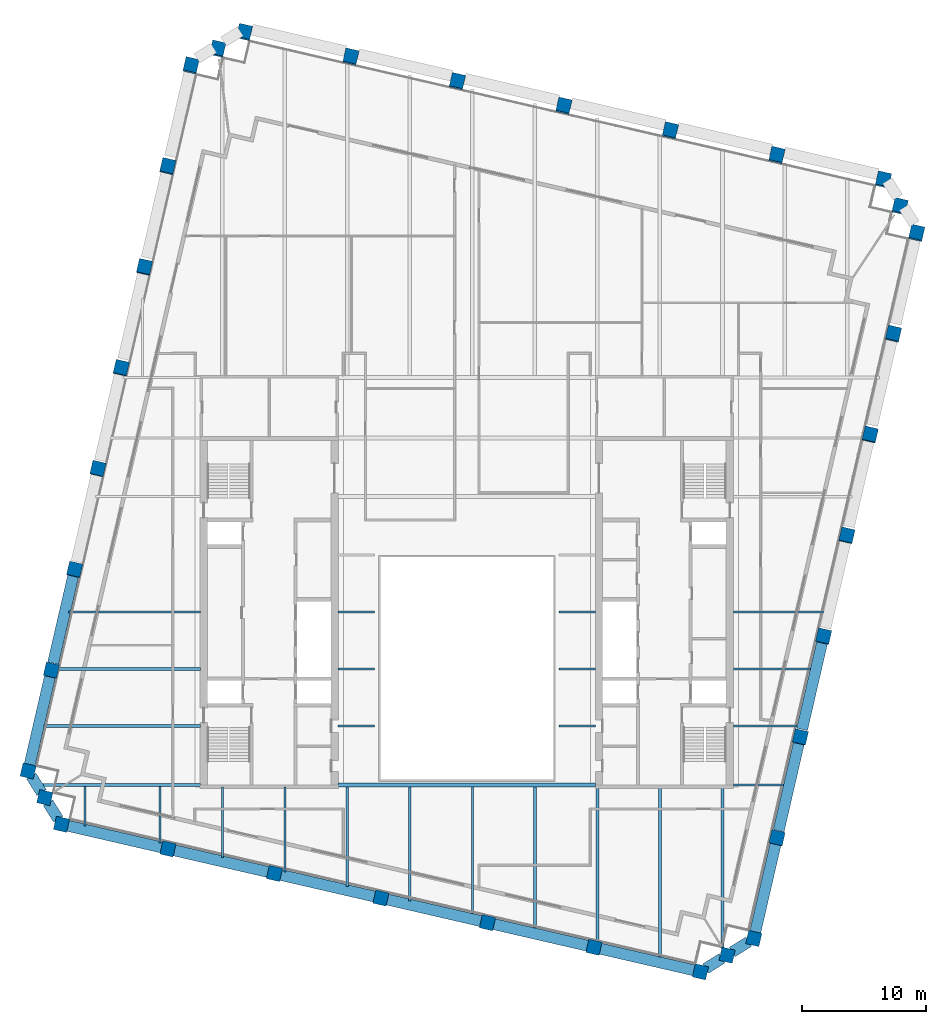
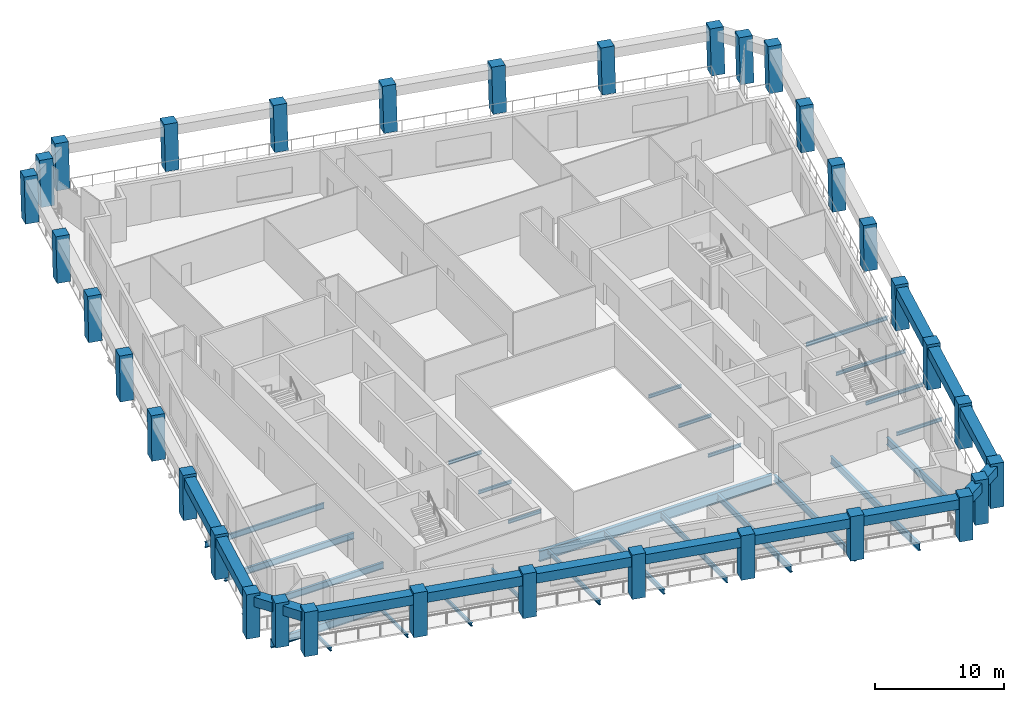
# One storey, part 1 of 10: 41 beams, 34 columns.
"""IFC4 building model written with IfcOpenShell, lengths in metres."""

from ifc_helpers import new_model, si_unit, direction, frame, origin, origin_2d, place, context, subcontext, project, spatial, rectangle, i_section, extrude, material, material_profile, profile_set, type_object, element, save


model = new_model("IFC4")

# Units and contexts
model_context = context("Model", 3, precision=1e-05, world=origin(), true_north=direction((0.0, 1.0)))
body_context = subcontext(model_context, "Body", "Model", "MODEL_VIEW")
ifc_project = project(units=[si_unit("LENGTHUNIT", "METRE"), si_unit("AREAUNIT", "SQUARE_METRE"), si_unit("VOLUMEUNIT", "CUBIC_METRE"), si_unit("PLANEANGLEUNIT", "RADIAN"), si_unit("MASSUNIT", "GRAM", prefix="KILO")], contexts=[model_context])

# Site, building, storey
site_placement = place(None, origin())
site = spatial("IfcSite", under=ifc_project, at=site_placement, CompositionType="ELEMENT")
building_placement = place(site_placement, origin())
building = spatial("IfcBuilding", under=site, at=building_placement, Name="Ogive Exchange Tower", CompositionType="ELEMENT")
storey_placement = place(building_placement, frame((0.0, 0.0, 280.800048828125)))
storey = spatial("IfcBuildingStorey", under=building, at=storey_placement, Name="L61", CompositionType="ELEMENT", Elevation=280.800048828125)

# Columns
ifc_material_1 = material(Name="Precast concrete C70/85 (limestone faced)", Category="masonry")
ifc_material_profile_1 = material_profile(ifc_material_1, rectangle(XDim=1.10009765625, YDim=1.10009765625, at=origin_2d()), Name="1100 x 1100")
ifc_profile_set_1 = profile_set([ifc_material_profile_1], Name="Precast concrete C70/85 (limestone faced)")
column_type = type_object("IfcColumnType", Name="Precast exoskeleton leg 1100 x 1100 C70/85", PredefinedType="COLUMN", material=ifc_profile_set_1)
for number, where, z_axis, x_axis, name in (
    (1, (-32.820556640625, -5.635498046875, 0.0), (0.0, 0.0, 1.0), (0.974370064785, -0.224951054344, 0.0), "Exoskeleton leg 1"),
    (2, (-24.197265625, -7.62646484375, 0.0), (0.0, 0.0, 1.0), (0.974370064785, -0.224951054344, 0.0), "Exoskeleton leg 2"),
    (3, (-15.57421875, -9.6171875, 0.0), (0.0, 0.0, 1.0), (0.974370064785, -0.224951054344, 0.0), "Exoskeleton leg 3"),
    (4, (-6.950927734375, -11.60791015625, 0.0), (0.0, 0.0, 1.0), (0.974370064785, -0.224951054344, 0.0), "Exoskeleton leg 4"),
    (5, (1.672119140625, -13.598876953125, 0.0), (0.0, 0.0, 1.0), (0.974370064785, -0.224951054344, 0.0), "Exoskeleton leg 5"),
    (6, (10.29541015625, -15.589599609375, 0.0), (0.0, 0.0, 1.0), (0.974370064785, -0.224951054344, 0.0), "Exoskeleton leg 6"),
    (7, (18.91845703125, -17.58056640625, 0.0), (0.0, 0.0, 1.0), (0.974370064785, -0.224951054344, 0.0), "Exoskeleton leg 7"),
    (8, (23.236083984375, -14.882568359375, 0.0), (0.0, 0.0, 1.0), (0.974370064785, -0.224951054344, 0.0), "Exoskeleton leg 8"),
):
    element("IfcColumn", number, at=place(storey_placement, frame(where, z_axis=z_axis, x_axis=x_axis)), inside=storey, type_object=column_type, Name=name, PredefinedType="COLUMN", context=body_context, shape_type="SweptSolid", body=[
        extrude(rectangle(XDim=1.10009765625, YDim=1.10009765625, at=origin_2d()), origin(), (0.0, 0.0, 1.0), 4.199951171875),
    ])
column_1_placement = place(storey_placement, frame((25.11865234375, -6.728271484375, 0.0), z_axis=(0.002906224189, 0.012671137464, 0.999915494498), x_axis=(-0.974691740237, 0.22355315143, 0.0)))
element("IfcColumn", 9, at=column_1_placement, inside=storey, type_object=column_type, Name="Exoskeleton leg 9", PredefinedType="COLUMN", context=body_context, shape_type="SweptSolid", body=[
    extrude(rectangle(XDim=1.10009765625, YDim=1.10009765625, at=origin_2d()), origin(), (0.0, 0.0, 1.0), 4.2001953125),
])
column_2_placement = place(storey_placement, frame((27.001220703125, 1.426025390625, 0.0), z_axis=(0.005869083212, 0.025335844359, 0.999661767226), x_axis=(-0.974202561131, 0.225675363932, 0.0)))
element("IfcColumn", 10, at=column_2_placement, inside=storey, type_object=column_type, Name="Exoskeleton leg 10", PredefinedType="COLUMN", context=body_context, shape_type="SweptSolid", body=[
    extrude(rectangle(XDim=1.10009765625, YDim=1.10009765625, at=origin_2d()), origin(), (0.0, 0.0, 1.0), 4.201416015625),
])
column_3_placement = place(storey_placement, frame((28.8837890625, 9.580322265625, 0.0), z_axis=(0.008770865357, 0.037987721479, 0.999239713451), x_axis=(-0.97436607968, 0.224968315033, 0.0)))
element("IfcColumn", 11, at=column_3_placement, inside=storey, type_object=column_type, Name="Exoskeleton leg 11", PredefinedType="COLUMN", context=body_context, shape_type="SweptSolid", body=[
    extrude(rectangle(XDim=1.10009765625, YDim=1.10009765625, at=origin_2d()), origin(), (0.0, 0.0, 1.0), 4.203125),
])
column_4_placement = place(storey_placement, frame((30.766357421875, 17.73486328125, 0.0), z_axis=(0.011668267153, 0.050562490995, 0.998652735462), x_axis=(-0.974391195695, 0.224859506699, 0.0)))
element("IfcColumn", 12, at=column_4_placement, inside=storey, type_object=column_type, Name="Exoskeleton leg 12", PredefinedType="COLUMN", context=body_context, shape_type="SweptSolid", body=[
    extrude(rectangle(XDim=1.10009765625, YDim=1.10009765625, at=origin_2d()), origin(), (0.0, 0.0, 1.0), 4.20556640625),
])
column_5_placement = place(storey_placement, frame((32.64892578125, 25.88916015625, 0.0), z_axis=(0.014559841898, 0.063111984005, 0.997900239743), x_axis=(-0.97440628778, 0.224794097641, 0.0)))
element("IfcColumn", 13, at=column_5_placement, inside=storey, type_object=column_type, Name="Exoskeleton leg 13", PredefinedType="COLUMN", context=body_context, shape_type="SweptSolid", body=[
    extrude(rectangle(XDim=1.10009765625, YDim=1.10009765625, at=origin_2d()), origin(), (0.0, 0.0, 1.0), 4.208740234375),
])
column_6_placement = place(storey_placement, frame((34.531494140625, 34.04345703125, 0.0), z_axis=(0.017502025619, 0.075687567741, 0.996977969259), x_axis=(-0.974290512438, 0.225295355862, 0.0)))
element("IfcColumn", 14, at=column_6_placement, inside=storey, type_object=column_type, Name="Exoskeleton leg 14", PredefinedType="COLUMN", context=body_context, shape_type="SweptSolid", body=[
    extrude(rectangle(XDim=1.10009765625, YDim=1.10009765625, at=origin_2d()), origin(), (0.0, 0.0, 1.0), 4.212646484375),
])
for number, where, z_axis, x_axis, name in (
    (15, (36.4140625, 42.19775390625, 0.0), (0.020377493232, 0.0882252832, 0.995892091129), (-0.97434807649, 0.225046274885, 0.0), "Exoskeleton leg 15"),
    (16, (33.71630859375, 46.515380859375, 0.0), (0.020319626563, 0.088225387128, 0.995893264282), (-0.974488096918, 0.224439187676, 0.0), "Exoskeleton leg 16"),
    (17, (25.093017578125, 48.506103515625, 0.0), (0.020377493232, 0.0882252832, 0.995892091129), (-0.97434807649, 0.225046274885, 0.0), "Exoskeleton leg 17"),
    (18, (16.469970703125, 50.4970703125, 0.0), (0.020377597275, 0.088167842757, 0.995897175934), (-0.97431566651, 0.225186549318, 0.0), "Exoskeleton leg 18"),
    (19, (7.8466796875, 52.48779296875, 0.0), (0.020377493232, 0.0882252832, 0.995892091129), (-0.97434807649, 0.225046274885, 0.0), "Exoskeleton leg 19"),
    (20, (-0.776611328125, 54.478515625, 0.0), (0.020377493232, 0.0882252832, 0.995892091129), (-0.97434807649, 0.225046274885, 0.0), "Exoskeleton leg 20"),
    (21, (-9.399658203125, 56.469482421875, 0.0), (0.020377493232, 0.0882252832, 0.995892091129), (-0.97434807649, 0.225046274885, 0.0), "Exoskeleton leg 21"),
    (22, (-18.022705078125, 58.460205078125, 0.0), (0.020319626563, 0.088225387128, 0.995893264282), (-0.974488096918, 0.224439187676, 0.0), "Exoskeleton leg 22"),
    (23, (-22.34033203125, 55.76220703125, 0.0), (0.020377389123, 0.088282722762, 0.995887003065), (-0.97438042596, 0.224906170451, 0.0), "Exoskeleton leg 23"),
):
    element("IfcColumn", number, at=place(storey_placement, frame(where, z_axis=z_axis, x_axis=x_axis)), inside=storey, type_object=column_type, Name=name, PredefinedType="COLUMN", context=body_context, shape_type="SweptSolid", body=[
        extrude(rectangle(XDim=1.10009765625, YDim=1.10009765625, at=origin_2d()), origin(), (0.0, 0.0, 1.0), 4.21728515625),
    ])
column_7_placement = place(storey_placement, frame((-24.222900390625, 47.60791015625, 0.0), z_axis=(0.01744401301, 0.075745265796, 0.996974604049), x_axis=(-0.974491627871, 0.224423856151, 0.0)))
element("IfcColumn", 24, at=column_7_placement, inside=storey, type_object=column_type, Name="Exoskeleton leg 24", PredefinedType="COLUMN", context=body_context, shape_type="SweptSolid", body=[
    extrude(rectangle(XDim=1.10009765625, YDim=1.10009765625, at=origin_2d()), origin(), (0.0, 0.0, 1.0), 4.212646484375),
])
column_8_placement = place(storey_placement, frame((-26.10546875, 39.45361328125, 0.0), z_axis=(0.014559788571, 0.063169759976, 0.997896584813), x_axis=(-0.97445148511, 0.224598092528, 0.0)))
element("IfcColumn", 25, at=column_8_placement, inside=storey, type_object=column_type, Name="Exoskeleton leg 25", PredefinedType="COLUMN", context=body_context, shape_type="SweptSolid", body=[
    extrude(rectangle(XDim=1.10009765625, YDim=1.10009765625, at=origin_2d()), origin(), (0.0, 0.0, 1.0), 4.208740234375),
])
column_9_placement = place(storey_placement, frame((-27.988037109375, 31.29931640625, 0.0), z_axis=(0.011668267153, 0.050562490995, 0.998652735462), x_axis=(-0.974391195695, 0.224859506699, 0.0)))
element("IfcColumn", 26, at=column_9_placement, inside=storey, type_object=column_type, Name="Exoskeleton leg 26", PredefinedType="COLUMN", context=body_context, shape_type="SweptSolid", body=[
    extrude(rectangle(XDim=1.10009765625, YDim=1.10009765625, at=origin_2d()), origin(), (0.0, 0.0, 1.0), 4.20556640625),
])
column_10_placement = place(storey_placement, frame((-29.87060546875, 23.14501953125, 0.0), z_axis=(0.00871280379, 0.037929739166, 0.999242424008), x_axis=(-0.974617095667, 0.223878352757, 0.0)))
element("IfcColumn", 27, at=column_10_placement, inside=storey, type_object=column_type, Name="Exoskeleton leg 27", PredefinedType="COLUMN", context=body_context, shape_type="SweptSolid", body=[
    extrude(rectangle(XDim=1.10009765625, YDim=1.10009765625, at=origin_2d()), origin(), (0.0, 0.0, 1.0), 4.203125),
])
column_11_placement = place(storey_placement, frame((-31.75341796875, 14.990478515625, 0.0), z_axis=(0.005869083212, 0.025335844359, 0.999661767226), x_axis=(-0.974202561131, 0.225675363932, 0.0)))
element("IfcColumn", 28, at=column_11_placement, inside=storey, type_object=column_type, Name="Exoskeleton leg 28", PredefinedType="COLUMN", context=body_context, shape_type="SweptSolid", body=[
    extrude(rectangle(XDim=1.10009765625, YDim=1.10009765625, at=origin_2d()), origin(), (0.0, 0.0, 1.0), 4.201416015625),
])
column_12_placement = place(storey_placement, frame((-33.6357421875, 6.836181640625, 0.0), z_axis=(0.002906224189, 0.012671137464, 0.999915494498), x_axis=(-0.974691740237, 0.22355315143, 0.0)))
element("IfcColumn", 29, at=column_12_placement, inside=storey, type_object=column_type, Name="Exoskeleton leg 29", PredefinedType="COLUMN", context=body_context, shape_type="SweptSolid", body=[
    extrude(rectangle(XDim=1.10009765625, YDim=1.10009765625, at=origin_2d()), origin(), (0.0, 0.0, 1.0), 4.2001953125),
])
for number, where, z_axis, x_axis, name in (
    (30, (-35.518310546875, -1.318115234375, 0.0), (0.0, 0.0, 1.0), (0.974370064785, -0.224951054344, 0.0), "Exoskeleton leg 30"),
    (31, (21.077392578125, -16.2314453125, 0.0), (0.0, 0.0, 1.0), (0.974370064785, -0.224951054344, 0.0), "Exoskeleton leg 31"),
):
    element("IfcColumn", number, at=place(storey_placement, frame(where, z_axis=z_axis, x_axis=x_axis)), inside=storey, type_object=column_type, Name=name, PredefinedType="COLUMN", context=body_context, shape_type="SweptSolid", body=[
        extrude(rectangle(XDim=1.10009765625, YDim=1.10009765625, at=origin_2d()), origin(), (0.0, 0.0, 1.0), 4.199951171875),
    ])
for number, where, z_axis, x_axis, name in (
    (32, (35.065185546875, 44.356689453125, 0.0), (0.020377597275, 0.088167842757, 0.995897175934), (-0.97431566651, 0.225186549318, 0.0), "Exoskeleton leg 32"),
    (33, (-20.181640625, 57.111328125, 0.0), (0.020377493232, 0.0882252832, 0.995892091129), (-0.97434807649, 0.225046274885, 0.0), "Exoskeleton leg 33"),
):
    element("IfcColumn", number, at=place(storey_placement, frame(where, z_axis=z_axis, x_axis=x_axis)), inside=storey, type_object=column_type, Name=name, PredefinedType="COLUMN", context=body_context, shape_type="SweptSolid", body=[
        extrude(rectangle(XDim=1.10009765625, YDim=1.10009765625, at=origin_2d()), origin(), (0.0, 0.0, 1.0), 4.21728515625),
    ])
column_13_placement = place(storey_placement, frame((-34.16943359375, -3.476806640625, 0.0), z_axis=(0.0, 0.0, 1.0), x_axis=(0.974370064785, -0.224951054344, 0.0)))
element("IfcColumn", 34, at=column_13_placement, inside=storey, type_object=column_type, Name="Exoskeleton leg 34", PredefinedType="COLUMN", context=body_context, shape_type="SweptSolid", body=[
    extrude(rectangle(XDim=1.10009765625, YDim=1.10009765625, at=origin_2d()), origin(), (0.0, 0.0, 1.0), 4.199951171875),
])

# Beams
ifc_material_2 = material(Name="Steel ASTM A992 Gr50", Category="steel")
ifc_material_profile_2 = material_profile(ifc_material_2, i_section(OverallWidth=0.1650390625, OverallDepth=0.31005859375, WebThickness=0.005859375, FlangeThickness=0.009765625, at=origin_2d()), Name="W310x38.7")
ifc_profile_set_2 = profile_set([ifc_material_profile_2], Name="Steel ASTM A992 Gr50")
beam_type_1 = type_object("IfcBeamType", Name="Floor beam W310x38.7", PredefinedType="JOIST", material=ifc_profile_set_2)
for number, where, z_axis, x_axis, name in (
    (35, (-10.419921875, 2.3212890625, -0.35498046875), (1.0, 0.0, 0.0), (0.0, 1.0, 0.0), "Floor beam"),
    (36, (7.469970703125, 2.3212890625, -0.35498046875), (1.0, 0.0, 0.0), (0.0, 1.0, 0.0), "Floor beam"),
):
    element("IfcBeam", number, at=place(storey_placement, frame(where, z_axis=z_axis, x_axis=x_axis)), inside=storey, type_object=beam_type_1, Name=name, PredefinedType="JOIST", context=body_context, shape_type="SweptSolid", body=[
        extrude(i_section(OverallWidth=0.1650390625, OverallDepth=0.31005859375, WebThickness=0.005859375, FlangeThickness=0.009765625, at=origin_2d()), origin(), (0.0, 0.0, 1.0), 2.949951171875),
    ])
beam_1_placement = place(storey_placement, frame((21.580078125, 2.3212890625, -0.35498046875), z_axis=(1.0, 0.0, 0.0), x_axis=(0.0, 1.0, 0.0)))
element("IfcBeam", 37, at=beam_1_placement, inside=storey, type_object=beam_type_1, Name="Floor beam", PredefinedType="JOIST", context=body_context, shape_type="SweptSolid", body=[
    extrude(i_section(OverallWidth=0.1650390625, OverallDepth=0.31005859375, WebThickness=0.005859375, FlangeThickness=0.009765625, at=origin_2d()), origin(), (0.0, 0.0, 1.0), 5.166015625),
])
for number, where, z_axis, x_axis, name in (
    (38, (-10.419921875, 6.9326171875, -0.35498046875), (1.0, 0.0, 0.0), (0.0, 1.0, 0.0), "Floor beam"),
    (39, (7.469970703125, 6.9326171875, -0.35498046875), (1.0, 0.0, 0.0), (0.0, 1.0, 0.0), "Floor beam"),
):
    element("IfcBeam", number, at=place(storey_placement, frame(where, z_axis=z_axis, x_axis=x_axis)), inside=storey, type_object=beam_type_1, Name=name, PredefinedType="JOIST", context=body_context, shape_type="SweptSolid", body=[
        extrude(i_section(OverallWidth=0.1650390625, OverallDepth=0.31005859375, WebThickness=0.005859375, FlangeThickness=0.009765625, at=origin_2d()), origin(), (0.0, 0.0, 1.0), 2.949951171875),
    ])
beam_2_placement = place(storey_placement, frame((21.580078125, 6.9326171875, -0.35498046875), z_axis=(1.0, 0.0, 0.0), x_axis=(0.0, 1.0, 0.0)))
element("IfcBeam", 40, at=beam_2_placement, inside=storey, type_object=beam_type_1, Name="Floor beam", PredefinedType="JOIST", context=body_context, shape_type="SweptSolid", body=[
    extrude(i_section(OverallWidth=0.1650390625, OverallDepth=0.31005859375, WebThickness=0.005859375, FlangeThickness=0.009765625, at=origin_2d()), origin(), (0.0, 0.0, 1.0), 6.230712890625),
])
for number, where, z_axis, x_axis, name in (
    (41, (-10.419921875, 11.543701171875, -0.35498046875), (1.0, 0.0, 0.0), (0.0, 1.0, 0.0), "Floor beam"),
    (42, (7.469970703125, 11.543701171875, -0.35498046875), (1.0, 0.0, 0.0), (0.0, 1.0, 0.0), "Floor beam"),
):
    element("IfcBeam", number, at=place(storey_placement, frame(where, z_axis=z_axis, x_axis=x_axis)), inside=storey, type_object=beam_type_1, Name=name, PredefinedType="JOIST", context=body_context, shape_type="SweptSolid", body=[
        extrude(i_section(OverallWidth=0.1650390625, OverallDepth=0.31005859375, WebThickness=0.005859375, FlangeThickness=0.009765625, at=origin_2d()), origin(), (0.0, 0.0, 1.0), 2.949951171875),
    ])
beam_3_placement = place(storey_placement, frame((-30.917724609375, -5.762939453125, -0.35498046875), z_axis=(0.0, 1.0, 0.0), x_axis=(-1.0, 0.0, 0.0)))
element("IfcBeam", 43, at=beam_3_placement, inside=storey, type_object=beam_type_1, Name="Floor beam", PredefinedType="JOIST", context=body_context, shape_type="SweptSolid", body=[
    extrude(i_section(OverallWidth=0.1650390625, OverallDepth=0.31005859375, WebThickness=0.005859375, FlangeThickness=0.009765625, at=origin_2d()), origin(), (0.0, 0.0, 1.0), 3.184326171875),
])
beam_4_placement = place(storey_placement, frame((-24.856689453125, -7.162353515625, -0.35498046875), z_axis=(0.0, 1.0, 0.0), x_axis=(-1.0, 0.0, 0.0)))
element("IfcBeam", 44, at=beam_4_placement, inside=storey, type_object=beam_type_1, Name="Floor beam", PredefinedType="JOIST", context=body_context, shape_type="SweptSolid", body=[
    extrude(i_section(OverallWidth=0.1650390625, OverallDepth=0.31005859375, WebThickness=0.005859375, FlangeThickness=0.009765625, at=origin_2d()), origin(), (0.0, 0.0, 1.0), 4.583740234375),
])
beam_5_placement = place(storey_placement, frame((-19.7958984375, -8.330810546875, -0.35498046875), z_axis=(0.0, 1.0, 0.0), x_axis=(-1.0, 0.0, 0.0)))
element("IfcBeam", 45, at=beam_5_placement, inside=storey, type_object=beam_type_1, Name="Floor beam", PredefinedType="JOIST", context=body_context, shape_type="SweptSolid", body=[
    extrude(i_section(OverallWidth=0.1650390625, OverallDepth=0.31005859375, WebThickness=0.005859375, FlangeThickness=0.009765625, at=origin_2d()), origin(), (0.0, 0.0, 1.0), 5.730712890625),
])
ifc_material_profile_3 = material_profile(ifc_material_2, i_section(OverallWidth=0.1708984375, OverallDepth=0.35595703125, WebThickness=0.00732421875, FlangeThickness=0.01171875, at=origin_2d()), Name="W360x51")
ifc_profile_set_3 = profile_set([ifc_material_profile_3], Name="Steel ASTM A992 Gr50")
beam_type_2 = type_object("IfcBeamType", Name="Floor beam W360x51", PredefinedType="JOIST", material=ifc_profile_set_3)
beam_6_placement = place(storey_placement, frame((21.580078125, 11.543701171875, -0.3779296875), z_axis=(1.0, 0.0, 0.0), x_axis=(0.0, 1.0, 0.0)))
element("IfcBeam", 46, at=beam_6_placement, inside=storey, type_object=beam_type_2, Name="Floor beam", PredefinedType="JOIST", context=body_context, shape_type="SweptSolid", body=[
    extrude(i_section(OverallWidth=0.1708984375, OverallDepth=0.35595703125, WebThickness=0.00732421875, FlangeThickness=0.01171875, at=origin_2d()), origin(), (0.0, 0.0, 1.0), 7.295166015625),
])
beam_7_placement = place(storey_placement, frame((-14.735107421875, -9.4990234375, -0.3779296875), z_axis=(0.0, 1.0, 0.0), x_axis=(-1.0, 0.0, 0.0)))
element("IfcBeam", 47, at=beam_7_placement, inside=storey, type_object=beam_type_2, Name="Floor beam", PredefinedType="JOIST", context=body_context, shape_type="SweptSolid", body=[
    extrude(i_section(OverallWidth=0.1708984375, OverallDepth=0.35595703125, WebThickness=0.00732421875, FlangeThickness=0.01171875, at=origin_2d()), origin(), (0.0, 0.0, 1.0), 6.89892578125),
])
ifc_material_profile_4 = material_profile(ifc_material_2, i_section(OverallWidth=0.177978515625, OverallDepth=0.406005859375, WebThickness=0.0078125, FlangeThickness=0.0126953125, at=origin_2d()), Name="W410x60")
ifc_profile_set_4 = profile_set([ifc_material_profile_4], Name="Steel ASTM A992 Gr50")
beam_type_3 = type_object("IfcBeamType", Name="Floor beam W410x60", PredefinedType="JOIST", material=ifc_profile_set_4)
beam_8_placement = place(storey_placement, frame((-9.674072265625, -10.66748046875, -0.403076171875), z_axis=(0.0, 1.0, 0.0), x_axis=(-1.0, 0.0, 0.0)))
element("IfcBeam", 48, at=beam_8_placement, inside=storey, type_object=beam_type_3, Name="Floor beam", PredefinedType="JOIST", context=body_context, shape_type="SweptSolid", body=[
    extrude(i_section(OverallWidth=0.177978515625, OverallDepth=0.406005859375, WebThickness=0.0078125, FlangeThickness=0.0126953125, at=origin_2d()), origin(), (0.0, 0.0, 1.0), 8.072509765625),
])
ifc_material_profile_5 = material_profile(ifc_material_2, i_section(OverallWidth=0.19091796875, OverallDepth=0.45703125, WebThickness=0.009033203125, FlangeThickness=0.014404296875, at=origin_2d()), Name="W460x74")
ifc_profile_set_5 = profile_set([ifc_material_profile_5], Name="Steel ASTM A992 Gr50")
beam_type_4 = type_object("IfcBeamType", Name="Floor beam W460x74", PredefinedType="JOIST", material=ifc_profile_set_5)
beam_9_placement = place(storey_placement, frame((-4.613037109375, -11.8359375, -0.428466796875), z_axis=(0.0, 1.0, 0.0), x_axis=(-1.0, 0.0, 0.0)))
element("IfcBeam", 49, at=beam_9_placement, inside=storey, type_object=beam_type_4, Name="Floor beam", PredefinedType="JOIST", context=body_context, shape_type="SweptSolid", body=[
    extrude(i_section(OverallWidth=0.19091796875, OverallDepth=0.45703125, WebThickness=0.009033203125, FlangeThickness=0.014404296875, at=origin_2d()), origin(), (0.0, 0.0, 1.0), 9.240966796875),
])
ifc_material_profile_6 = material_profile(ifc_material_2, i_section(OverallWidth=0.1669921875, OverallDepth=0.535888671875, WebThickness=0.01025390625, FlangeThickness=0.0166015625, at=origin_2d()), Name="W530x85")
ifc_profile_set_6 = profile_set([ifc_material_profile_6], Name="Steel ASTM A992 Gr50")
beam_type_5 = type_object("IfcBeamType", Name="Floor beam W530x85", PredefinedType="JOIST", material=ifc_profile_set_6)
beam_10_placement = place(storey_placement, frame((-32.2373046875, 11.543701171875, -0.468017578125), z_axis=(1.0, 0.0, 0.0), x_axis=(0.0, 1.0, 0.0)))
element("IfcBeam", 50, at=beam_10_placement, inside=storey, type_object=beam_type_5, Name="Floor beam", PredefinedType="JOIST", context=body_context, shape_type="SweptSolid", body=[
    extrude(i_section(OverallWidth=0.1669921875, OverallDepth=0.535888671875, WebThickness=0.01025390625, FlangeThickness=0.0166015625, at=origin_2d()), origin(), (0.0, 0.0, 1.0), 10.6572265625),
])
beam_11_placement = place(storey_placement, frame((0.447998046875, -12.8544921875, -0.468017578125), z_axis=(0.0, 1.0, 0.0), x_axis=(-1.0, 0.0, 0.0)))
element("IfcBeam", 51, at=beam_11_placement, inside=storey, type_object=beam_type_5, Name="Floor beam", PredefinedType="JOIST", context=body_context, shape_type="SweptSolid", body=[
    extrude(i_section(OverallWidth=0.1669921875, OverallDepth=0.535888671875, WebThickness=0.01025390625, FlangeThickness=0.0166015625, at=origin_2d()), origin(), (0.0, 0.0, 1.0), 10.259521484375),
])
ifc_material_profile_7 = material_profile(ifc_material_2, i_section(OverallWidth=0.22802734375, OverallDepth=0.60205078125, WebThickness=0.010498046875, FlangeThickness=0.014892578125, at=origin_2d()), Name="W610x101")
ifc_profile_set_7 = profile_set([ifc_material_profile_7], Name="Steel ASTM A992 Gr50")
beam_type_6 = type_object("IfcBeamType", Name="Floor beam W610x101", PredefinedType="JOIST", material=ifc_profile_set_7)
beam_12_placement = place(storey_placement, frame((-34.21630859375, 2.3212890625, -0.5009765625), z_axis=(1.0, 0.0, 0.0), x_axis=(0.0, 1.0, 0.0)))
element("IfcBeam", 52, at=beam_12_placement, inside=storey, type_object=beam_type_6, Name="Floor beam", PredefinedType="JOIST", context=body_context, shape_type="SweptSolid", body=[
    extrude(i_section(OverallWidth=0.22802734375, OverallDepth=0.60205078125, WebThickness=0.010498046875, FlangeThickness=0.014892578125, at=origin_2d()), origin(), (0.0, 0.0, 1.0), 12.63623046875),
])
beam_13_placement = place(storey_placement, frame((-33.15185546875, 6.9326171875, -0.5009765625), z_axis=(1.0, 0.0, 0.0), x_axis=(0.0, 1.0, 0.0)))
element("IfcBeam", 53, at=beam_13_placement, inside=storey, type_object=beam_type_6, Name="Floor beam", PredefinedType="JOIST", context=body_context, shape_type="SweptSolid", body=[
    extrude(i_section(OverallWidth=0.22802734375, OverallDepth=0.60205078125, WebThickness=0.010498046875, FlangeThickness=0.014892578125, at=origin_2d()), origin(), (0.0, 0.0, 1.0), 11.57177734375),
])
beam_14_placement = place(storey_placement, frame((5.5087890625, -14.022705078125, -0.5009765625), z_axis=(0.0, 1.0, 0.0), x_axis=(-1.0, 0.0, 0.0)))
element("IfcBeam", 54, at=beam_14_placement, inside=storey, type_object=beam_type_6, Name="Floor beam", PredefinedType="JOIST", context=body_context, shape_type="SweptSolid", body=[
    extrude(i_section(OverallWidth=0.22802734375, OverallDepth=0.60205078125, WebThickness=0.010498046875, FlangeThickness=0.014892578125, at=origin_2d()), origin(), (0.0, 0.0, 1.0), 11.427734375),
])
beam_15_placement = place(storey_placement, frame((10.569580078125, -15.191162109375, -0.5009765625), z_axis=(0.0, 1.0, 0.0), x_axis=(-1.0, 0.0, 0.0)))
element("IfcBeam", 55, at=beam_15_placement, inside=storey, type_object=beam_type_6, Name="Floor beam", PredefinedType="JOIST", context=body_context, shape_type="SweptSolid", body=[
    extrude(i_section(OverallWidth=0.22802734375, OverallDepth=0.60205078125, WebThickness=0.010498046875, FlangeThickness=0.014892578125, at=origin_2d()), origin(), (0.0, 0.0, 1.0), 12.591064453125),
])
ifc_material_profile_8 = material_profile(ifc_material_2, i_section(OverallWidth=0.25390625, OverallDepth=0.677978515625, WebThickness=0.01171875, FlangeThickness=0.016357421875, at=origin_2d()), Name="W690x125")
ifc_profile_set_8 = profile_set([ifc_material_profile_8], Name="Steel ASTM A992 Gr50")
beam_type_7 = type_object("IfcBeamType", Name="Floor beam W690x125", PredefinedType="JOIST", material=ifc_profile_set_8)
beam_16_placement = place(storey_placement, frame((15.630615234375, -16.359619140625, -0.5390625), z_axis=(0.0, 1.0, 0.0), x_axis=(-1.0, 0.0, 0.0)))
element("IfcBeam", 56, at=beam_16_placement, inside=storey, type_object=beam_type_7, Name="Floor beam", PredefinedType="JOIST", context=body_context, shape_type="SweptSolid", body=[
    extrude(i_section(OverallWidth=0.25390625, OverallDepth=0.677978515625, WebThickness=0.01171875, FlangeThickness=0.016357421875, at=origin_2d()), origin(), (0.0, 0.0, 1.0), 13.759521484375),
])
beam_17_placement = place(storey_placement, frame((20.691650390625, -15.6806640625, -0.5390625), z_axis=(0.0, 1.0, 0.0), x_axis=(-1.0, 0.0, 0.0)))
element("IfcBeam", 57, at=beam_17_placement, inside=storey, type_object=beam_type_7, Name="Floor beam", PredefinedType="JOIST", context=body_context, shape_type="SweptSolid", body=[
    extrude(i_section(OverallWidth=0.25390625, OverallDepth=0.677978515625, WebThickness=0.01171875, FlangeThickness=0.016357421875, at=origin_2d()), origin(), (0.0, 0.0, 1.0), 13.08056640625),
])
ifc_material_profile_9 = material_profile(ifc_material_2, i_section(OverallWidth=0.300048828125, OverallDepth=0.97998046875, WebThickness=0.0166015625, FlangeThickness=0.026123046875, at=origin_2d()), Name="W1000x249")
ifc_profile_set_9 = profile_set([ifc_material_profile_9], Name="Steel ASTM A992 Gr50")
beam_type_8 = type_object("IfcBeamType", Name="Girder W1000x249", PredefinedType="BEAM", material=ifc_profile_set_9)
beam_18_placement = place(storey_placement, frame((-10.419921875, -2.445068359375, -0.68994140625), z_axis=(1.0, 0.0, 0.0), x_axis=(0.0, 1.0, 0.0)))
element("IfcBeam", 58, at=beam_18_placement, inside=storey, type_object=beam_type_8, Name="Header girder", PredefinedType="BEAM", context=body_context, shape_type="SweptSolid", body=[
    extrude(i_section(OverallWidth=0.300048828125, OverallDepth=0.97998046875, WebThickness=0.0166015625, FlangeThickness=0.026123046875, at=origin_2d()), origin(), (0.0, 0.0, 1.0), 20.83984375),
])
ifc_material_profile_10 = material_profile(ifc_material_2, i_section(OverallWidth=0.1650390625, OverallDepth=0.31005859375, WebThickness=0.005859375, FlangeThickness=0.009765625, at=origin_2d()), Name="W310x38.7")
ifc_profile_set_10 = profile_set([ifc_material_profile_10], Name="Steel ASTM A992 Gr50")
beam_type_9 = type_object("IfcBeamType", Name="Girder W310x38.7", PredefinedType="BEAM", material=ifc_profile_set_10)
beam_19_placement = place(storey_placement, frame((21.580078125, -2.445068359375, -0.35498046875), z_axis=(1.0, 0.0, 0.0), x_axis=(0.0, 1.0, 0.0)))
element("IfcBeam", 59, at=beam_19_placement, inside=storey, type_object=beam_type_9, Name="Header girder", PredefinedType="BEAM", context=body_context, shape_type="SweptSolid", body=[
    extrude(i_section(OverallWidth=0.1650390625, OverallDepth=0.31005859375, WebThickness=0.005859375, FlangeThickness=0.009765625, at=origin_2d()), origin(), (0.0, 0.0, 1.0), 4.065673828125),
])
ifc_material_profile_11 = material_profile(ifc_material_2, i_section(OverallWidth=0.26708984375, OverallDepth=0.75390625, WebThickness=0.01318359375, FlangeThickness=0.01708984375, at=origin_2d()), Name="W760x147")
ifc_profile_set_11 = profile_set([ifc_material_profile_11], Name="Steel ASTM A992 Gr50")
beam_type_10 = type_object("IfcBeamType", Name="Girder W760x147", PredefinedType="BEAM", material=ifc_profile_set_11)
beam_20_placement = place(storey_placement, frame((-34.43359375, -2.445068359375, -0.5771484375), z_axis=(1.0, 0.0, 0.0), x_axis=(0.0, 1.0, 0.0)))
element("IfcBeam", 60, at=beam_20_placement, inside=storey, type_object=beam_type_10, Name="Header girder", PredefinedType="BEAM", context=body_context, shape_type="SweptSolid", body=[
    extrude(i_section(OverallWidth=0.26708984375, OverallDepth=0.75390625, WebThickness=0.01318359375, FlangeThickness=0.01708984375, at=origin_2d()), origin(), (0.0, 0.0, 1.0), 12.853515625),
])
ifc_material_profile_12 = material_profile(ifc_material_1, rectangle(XDim=0.89990234375, YDim=0.89990234375, at=origin_2d()), Name="900 x 900")
ifc_profile_set_12 = profile_set([ifc_material_profile_12], Name="Precast concrete C70/85 (limestone faced)")
beam_type_11 = type_object("IfcBeamType", Name="Precast spandrel 900 x 900 C70/85", PredefinedType="SPANDREL", material=ifc_profile_set_12)
for number, where, z_axis, x_axis, name in (
    (61, (-32.30419921875, -5.7548828125, 3.5), (0.974374818602, -0.224930462307, 0.0), (0.224930462307, 0.974374818602, 0.0), "Spandrel 1"),
    (62, (-23.680908203125, -7.74560546875, 3.5), (0.974367949416, -0.224960216819, 0.0), (0.224960216819, 0.974367949416, 0.0), "Spandrel 2"),
    (63, (-15.0576171875, -9.736328125, 3.5), (0.974367949416, -0.224960216819, 0.0), (0.224960216819, 0.974367949416, 0.0), "Spandrel 3"),
    (64, (-6.4345703125, -11.727294921875, 3.5), (0.974374818602, -0.224930462307, 0.0), (0.224930462307, 0.974374818602, 0.0), "Spandrel 4"),
):
    element("IfcBeam", number, at=place(storey_placement, frame(where, z_axis=z_axis, x_axis=x_axis)), inside=storey, type_object=beam_type_11, Name=name, PredefinedType="SPANDREL", context=body_context, shape_type="SweptSolid", body=[
        extrude(rectangle(XDim=0.89990234375, YDim=0.89990234375, at=origin_2d()), origin(), (0.0, 0.0, 1.0), 7.7900390625),
    ])
beam_21_placement = place(storey_placement, frame((2.188720703125, -13.718017578125, 3.5), z_axis=(0.974366363305, -0.224967086616, 0.0), x_axis=(0.224967086616, 0.974366363305, 0.0)))
element("IfcBeam", 65, at=beam_21_placement, inside=storey, type_object=beam_type_11, Name="Spandrel 5", PredefinedType="SPANDREL", context=body_context, shape_type="SweptSolid", body=[
    extrude(rectangle(XDim=0.89990234375, YDim=0.89990234375, at=origin_2d()), origin(), (0.0, 0.0, 1.0), 7.789794921875),
])
beam_22_placement = place(storey_placement, frame((10.811767578125, -15.708984375, 3.5), z_axis=(0.974374818602, -0.224930462307, 0.0), x_axis=(0.224930462307, 0.974374818602, 0.0)))
element("IfcBeam", 66, at=beam_22_placement, inside=storey, type_object=beam_type_11, Name="Spandrel 6", PredefinedType="SPANDREL", context=body_context, shape_type="SweptSolid", body=[
    extrude(rectangle(XDim=0.89990234375, YDim=0.89990234375, at=origin_2d()), origin(), (0.0, 0.0, 1.0), 7.7900390625),
])
for number, where, z_axis, x_axis, name in (
    (67, (19.32373046875, -17.327392578125, 3.5), (0.84798967817, 0.53001274109, 0.0), (-0.53001274109, 0.84798967817, 0.0), "Spandrel 7"),
    (68, (21.482421875, -15.978271484375, 3.5), (0.848058683477, 0.529902320601, 0.0), (-0.529902320601, 0.848058683477, 0.0), "Spandrel 8"),
):
    element("IfcBeam", number, at=place(storey_placement, frame(where, z_axis=z_axis, x_axis=x_axis)), inside=storey, type_object=beam_type_11, Name=name, PredefinedType="SPANDREL", context=body_context, shape_type="SweptSolid", body=[
        extrude(rectangle(XDim=0.89990234375, YDim=0.89990234375, at=origin_2d()), origin(), (0.0, 0.0, 1.0), 1.590087890625),
    ])
for number, where, z_axis, x_axis, name in (
    (69, (23.355224609375, -14.3662109375, 3.5), (0.224958785199, 0.974368279944, 0.0), (-0.974368279944, 0.224958785199, 0.0), "Spandrel 9"),
    (70, (25.250244140625, -6.15869140625, 3.5), (0.224927307408, 0.974375546892, 0.0), (-0.974375546892, 0.224927307408, 0.0), "Spandrel 10"),
):
    element("IfcBeam", number, at=place(storey_placement, frame(where, z_axis=z_axis, x_axis=x_axis)), inside=storey, type_object=beam_type_11, Name=name, PredefinedType="SPANDREL", context=body_context, shape_type="SweptSolid", body=[
        extrude(rectangle(XDim=0.89990234375, YDim=0.89990234375, at=origin_2d()), origin(), (0.0, 0.0, 1.0), 7.363525390625),
    ])
for number, where, z_axis, x_axis, name in (
    (71, (27.14501953125, 2.048828125, 3.5), (0.22496605283, 0.97436660199, 0.0), (-0.97436660199, 0.22496605283, 0.0), "Spandrel 11"),
    (72, (-31.847900390625, 14.58056640625, 3.5), (-0.22496605283, -0.97436660199, 0.0), (0.97436660199, -0.22496605283, 0.0), "Spandrel 31"),
    (73, (-33.742919921875, 6.373046875, 3.5), (-0.224934574131, -0.974373869395, 0.0), (0.974373869395, -0.224934574131, 0.0), "Spandrel 32"),
):
    element("IfcBeam", number, at=place(storey_placement, frame(where, z_axis=z_axis, x_axis=x_axis)), inside=storey, type_object=beam_type_11, Name=name, PredefinedType="SPANDREL", context=body_context, shape_type="SweptSolid", body=[
        extrude(rectangle(XDim=0.89990234375, YDim=0.89990234375, at=origin_2d()), origin(), (0.0, 0.0, 1.0), 7.36328125),
    ])
for number, where, z_axis, x_axis, name in (
    (74, (-35.26513671875, -1.72314453125, 3.5), (0.529902320601, -0.848058683477, 0.0), (0.848058683477, 0.529902320601, 0.0), "Spandrel 33"),
    (75, (-33.916259765625, -3.882080078125, 3.5), (0.529902320601, -0.848058683477, 0.0), (0.848058683477, 0.529902320601, 0.0), "Spandrel 34"),
):
    element("IfcBeam", number, at=place(storey_placement, frame(where, z_axis=z_axis, x_axis=x_axis)), inside=storey, type_object=beam_type_11, Name=name, PredefinedType="SPANDREL", context=body_context, shape_type="SweptSolid", body=[
        extrude(rectangle(XDim=0.89990234375, YDim=0.89990234375, at=origin_2d()), origin(), (0.0, 0.0, 1.0), 1.590087890625),
    ])

save(model, "model.ifc")
